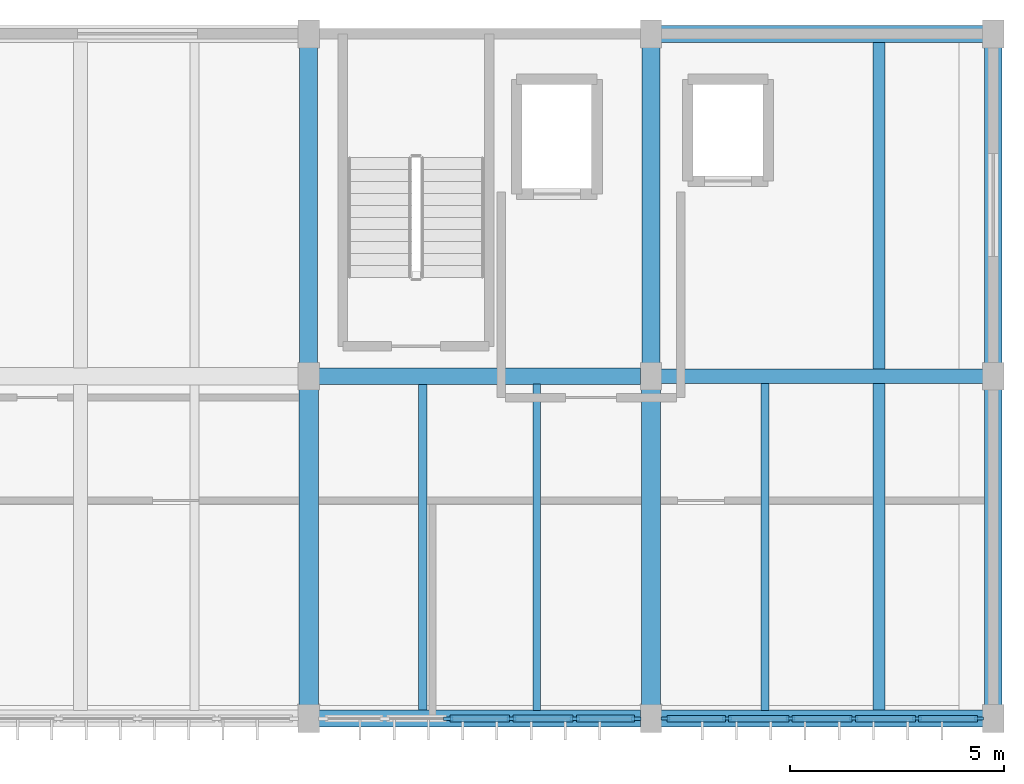
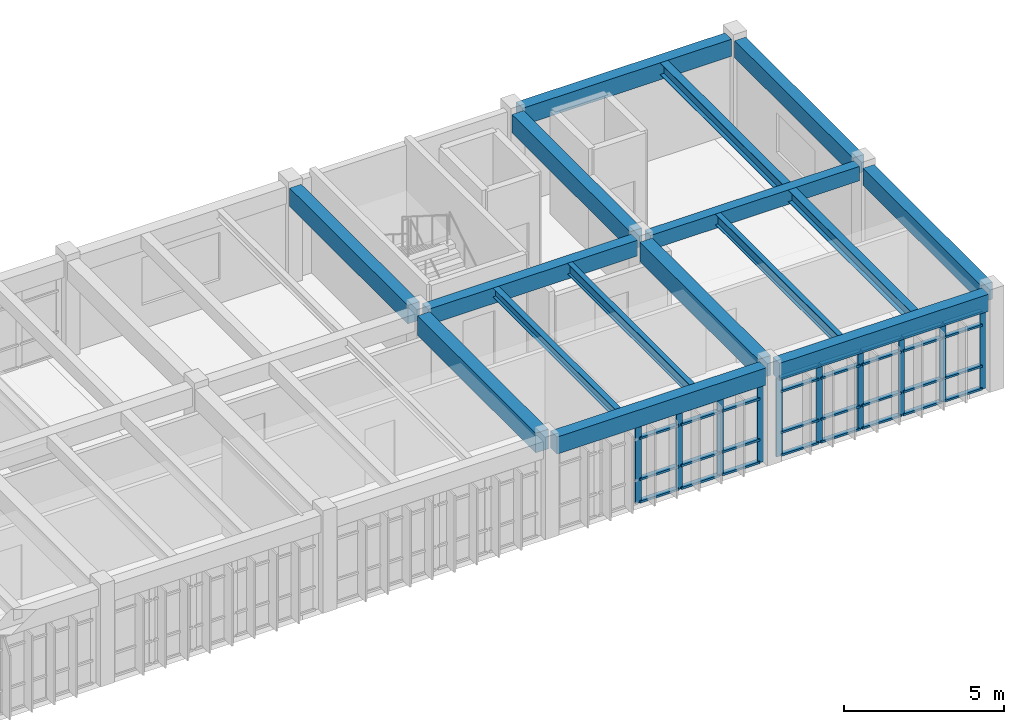
# One storey, part 7 of 15: 42 members, 16 beams, 2 elements without a shape of their own.
"""IFC4 building model written with IfcOpenShell, lengths in metres."""

from ifc_helpers import new_model, si_unit, direction, frame, origin, origin_2d, place, context, subcontext, project, spatial, rectangle, i_section, extrude, material, material_profile, profile_set, type_object, element, aggregate, save


model = new_model("IFC4")

# Units and contexts
model_context = context("Model", 3, precision=1e-05, world=origin(), true_north=direction((0.0, 1.0)))
body_context = subcontext(model_context, "Body", "Model", "MODEL_VIEW")
ifc_project = project(units=[si_unit("LENGTHUNIT", "METRE"), si_unit("AREAUNIT", "SQUARE_METRE"), si_unit("VOLUMEUNIT", "CUBIC_METRE"), si_unit("PLANEANGLEUNIT", "RADIAN"), si_unit("MASSUNIT", "GRAM", prefix="KILO")], contexts=[model_context])

# Site, building, storey
site_placement = place(None, origin())
site = spatial("IfcSite", under=ifc_project, at=site_placement, CompositionType="ELEMENT")
building_placement = place(site_placement, origin())
building = spatial("IfcBuilding", under=site, at=building_placement, Name="Tlaxcora Railside Police Headquarters", CompositionType="ELEMENT")
storey_placement = place(building_placement, frame((0.0, 0.0, 25.800048828125)))
storey = spatial("IfcBuildingStorey", under=building, at=storey_placement, Name="L06", CompositionType="ELEMENT", Elevation=25.800048828125)

# Curtain wall, members
ifc_material_1 = material(Name="Thermally broken low-E insulated glazing", Category="glass")
curtain_wall_type_1 = type_object("IfcCurtainWallType", Name="Unitised Curtain Wall Assembly CW-23", PredefinedType="NOTDEFINED", material=ifc_material_1)
curtain_wall_1_placement = place(storey_placement, origin())
curtain_wall_1 = element("IfcCurtainWall", 1, at=curtain_wall_1_placement, inside=storey, type_object=curtain_wall_type_1, Name="V5 L06 curtain wall 128", PredefinedType="NOTDEFINED")
ifc_material_2 = material(Name="Anodised aluminium framing", Category="aluminium")
ifc_material_profile_1 = material_profile(ifc_material_2, rectangle(XDim=0.080078125, YDim=0.219970703125, at=origin_2d()), Name="AL80X220")
ifc_profile_set_1 = profile_set([ifc_material_profile_1], Name="Anodised aluminium framing")
member_type_1 = type_object("IfcMemberType", Name="Curtain Wall Mullion CW-31", PredefinedType="MULLION", material=ifc_profile_set_1)
member_1_placement = place(storey_placement, frame((73.260009765625, 76.800048828125, 0.0), z_axis=(0.0, 0.0, 1.0), x_axis=(0.0, 1.0, 0.0)))
member_1 = element("IfcMember", 2, at=member_1_placement, type_object=member_type_1, Name="CW mullion 3", PredefinedType="MULLION", context=body_context, shape_type="SweptSolid", body=[
    extrude(rectangle(XDim=0.080078125, YDim=0.219970703125, at=origin_2d()), origin(), (0.0, 0.0, 1.0), 2.989990234375),
])
member_2_placement = place(storey_placement, frame((74.739990234375, 76.800048828125, 0.0), z_axis=(0.0, 0.0, 1.0), x_axis=(0.0, 1.0, 0.0)))
member_2 = element("IfcMember", 3, at=member_2_placement, type_object=member_type_1, Name="CW mullion 4", PredefinedType="MULLION", context=body_context, shape_type="SweptSolid", body=[
    extrude(rectangle(XDim=0.080078125, YDim=0.219970703125, at=origin_2d()), origin(), (0.0, 0.0, 1.0), 2.989990234375),
])
member_3_placement = place(storey_placement, frame((76.219970703125, 76.800048828125, 0.0), z_axis=(0.0, 0.0, 1.0), x_axis=(0.0, 1.0, 0.0)))
member_3 = element("IfcMember", 4, at=member_3_placement, type_object=member_type_1, Name="CW mullion 5", PredefinedType="MULLION", context=body_context, shape_type="SweptSolid", body=[
    extrude(rectangle(XDim=0.080078125, YDim=0.219970703125, at=origin_2d()), origin(), (0.0, 0.0, 1.0), 2.989990234375),
])
member_4_placement = place(storey_placement, frame((77.659912109375, 76.800048828125, 0.0), z_axis=(0.0, 0.0, 1.0), x_axis=(0.0, 1.0, 0.0)))
member_4 = element("IfcMember", 5, at=member_4_placement, type_object=member_type_1, Name="CW mullion 6", PredefinedType="MULLION", context=body_context, shape_type="SweptSolid", body=[
    extrude(rectangle(XDim=0.080078125, YDim=0.219970703125, at=origin_2d()), origin(), (0.0, 0.0, 1.0), 2.989990234375),
])

curtain_wall_type_2 = type_object("IfcCurtainWallType", Name="Unitised Curtain Wall Assembly CW-38", PredefinedType="NOTDEFINED", material=ifc_material_1)
curtain_wall_2_placement = place(storey_placement, origin())
curtain_wall_2 = element("IfcCurtainWall", 6, at=curtain_wall_2_placement, inside=storey, type_object=curtain_wall_type_2, Name="V5 L06 curtain wall 129", PredefinedType="NOTDEFINED")
ifc_material_profile_2 = material_profile(ifc_material_2, rectangle(XDim=0.074951171875, YDim=0.205078125, at=origin_2d()), Name="AL75X205")
ifc_profile_set_2 = profile_set([ifc_material_profile_2], Name="Anodised aluminium framing")
member_type_2 = type_object("IfcMemberType", Name="Curtain Wall Mullion CW-32", PredefinedType="MULLION", material=ifc_profile_set_2)
member_5_placement = place(storey_placement, frame((78.33740234375, 76.800048828125, 0.0), z_axis=(0.0, 0.0, 1.0), x_axis=(0.0, 1.0, 0.0)))
member_5 = element("IfcMember", 7, at=member_5_placement, type_object=member_type_2, Name="CW mullion 1", PredefinedType="MULLION", context=body_context, shape_type="SweptSolid", body=[
    extrude(rectangle(XDim=0.074951171875, YDim=0.205078125, at=origin_2d()), origin(), (0.0, 0.0, 1.0), 2.989990234375),
])
member_6_placement = place(storey_placement, frame((79.780029296875, 76.800048828125, 0.0), z_axis=(0.0, 0.0, 1.0), x_axis=(0.0, 1.0, 0.0)))
member_6 = element("IfcMember", 8, at=member_6_placement, type_object=member_type_2, Name="CW mullion 2", PredefinedType="MULLION", context=body_context, shape_type="SweptSolid", body=[
    extrude(rectangle(XDim=0.074951171875, YDim=0.205078125, at=origin_2d()), origin(), (0.0, 0.0, 1.0), 2.989990234375),
])
member_7_placement = place(storey_placement, frame((81.260009765625, 76.800048828125, 0.0), z_axis=(0.0, 0.0, 1.0), x_axis=(0.0, 1.0, 0.0)))
member_7 = element("IfcMember", 9, at=member_7_placement, type_object=member_type_2, Name="CW mullion 3", PredefinedType="MULLION", context=body_context, shape_type="SweptSolid", body=[
    extrude(rectangle(XDim=0.074951171875, YDim=0.205078125, at=origin_2d()), origin(), (0.0, 0.0, 1.0), 2.989990234375),
])
member_8_placement = place(storey_placement, frame((82.739990234375, 76.800048828125, 0.0), z_axis=(0.0, 0.0, 1.0), x_axis=(0.0, 1.0, 0.0)))
member_8 = element("IfcMember", 10, at=member_8_placement, type_object=member_type_2, Name="CW mullion 4", PredefinedType="MULLION", context=body_context, shape_type="SweptSolid", body=[
    extrude(rectangle(XDim=0.074951171875, YDim=0.205078125, at=origin_2d()), origin(), (0.0, 0.0, 1.0), 2.989990234375),
])
member_9_placement = place(storey_placement, frame((84.219970703125, 76.800048828125, 0.0), z_axis=(0.0, 0.0, 1.0), x_axis=(0.0, 1.0, 0.0)))
member_9 = element("IfcMember", 11, at=member_9_placement, type_object=member_type_2, Name="CW mullion 5", PredefinedType="MULLION", context=body_context, shape_type="SweptSolid", body=[
    extrude(rectangle(XDim=0.074951171875, YDim=0.205078125, at=origin_2d()), origin(), (0.0, 0.0, 1.0), 2.989990234375),
])
member_10_placement = place(storey_placement, frame((85.66259765625, 76.800048828125, 0.0), z_axis=(0.0, 0.0, 1.0), x_axis=(0.0, 1.0, 0.0)))
member_10 = element("IfcMember", 12, at=member_10_placement, type_object=member_type_2, Name="CW mullion 6", PredefinedType="MULLION", context=body_context, shape_type="SweptSolid", body=[
    extrude(rectangle(XDim=0.074951171875, YDim=0.205078125, at=origin_2d()), origin(), (0.0, 0.0, 1.0), 2.989990234375),
])
ifc_material_profile_3 = material_profile(ifc_material_2, rectangle(XDim=0.155029296875, YDim=0.074951171875, at=origin_2d()), Name="AL75X155")
ifc_profile_set_3 = profile_set([ifc_material_profile_3], Name="Anodised aluminium framing")
member_type_3 = type_object("IfcMemberType", Name="Curtain Wall Transom CW-30", PredefinedType="USERDEFINED", material=ifc_profile_set_3)
member_11_placement = place(storey_placement, frame((78.375, 76.800048828125, 0.037353515625), z_axis=(1.0, 0.0, 0.0), x_axis=(0.0, 1.0, 0.0)))
member_11 = element("IfcMember", 13, at=member_11_placement, type_object=member_type_3, Name="CW transom 1.1", ObjectType="TRANSOM", PredefinedType="USERDEFINED", context=body_context, shape_type="SweptSolid", body=[
    extrude(rectangle(XDim=0.155029296875, YDim=0.074951171875, at=origin_2d()), origin(), (0.0, 0.0, 1.0), 1.367431640625),
])
member_12_placement = place(storey_placement, frame((78.375, 76.800048828125, 0.89990234375), z_axis=(1.0, 0.0, 0.0), x_axis=(0.0, 1.0, 0.0)))
member_12 = element("IfcMember", 14, at=member_12_placement, type_object=member_type_3, Name="CW transom 1.2", ObjectType="TRANSOM", PredefinedType="USERDEFINED", context=body_context, shape_type="SweptSolid", body=[
    extrude(rectangle(XDim=0.155029296875, YDim=0.074951171875, at=origin_2d()), origin(), (0.0, 0.0, 1.0), 1.367431640625),
])
member_13_placement = place(storey_placement, frame((78.375, 76.800048828125, 2.4599609375), z_axis=(1.0, 0.0, 0.0), x_axis=(0.0, 1.0, 0.0)))
member_13 = element("IfcMember", 15, at=member_13_placement, type_object=member_type_3, Name="CW transom 1.3", ObjectType="TRANSOM", PredefinedType="USERDEFINED", context=body_context, shape_type="SweptSolid", body=[
    extrude(rectangle(XDim=0.155029296875, YDim=0.074951171875, at=origin_2d()), origin(), (0.0, 0.0, 1.0), 1.367431640625),
])
member_14_placement = place(storey_placement, frame((78.375, 76.800048828125, 2.952392578125), z_axis=(1.0, 0.0, 0.0), x_axis=(0.0, 1.0, 0.0)))
member_14 = element("IfcMember", 16, at=member_14_placement, type_object=member_type_3, Name="CW transom 1.4", ObjectType="TRANSOM", PredefinedType="USERDEFINED", context=body_context, shape_type="SweptSolid", body=[
    extrude(rectangle(XDim=0.155029296875, YDim=0.074951171875, at=origin_2d()), origin(), (0.0, 0.0, 1.0), 1.367431640625),
])
member_15_placement = place(storey_placement, frame((79.8173828125, 76.800048828125, 0.037353515625), z_axis=(1.0, 0.0, 0.0), x_axis=(0.0, 1.0, 0.0)))
member_15 = element("IfcMember", 17, at=member_15_placement, type_object=member_type_3, Name="CW transom 2.1", ObjectType="TRANSOM", PredefinedType="USERDEFINED", context=body_context, shape_type="SweptSolid", body=[
    extrude(rectangle(XDim=0.155029296875, YDim=0.074951171875, at=origin_2d()), origin(), (0.0, 0.0, 1.0), 1.405029296875),
])
member_16_placement = place(storey_placement, frame((79.8173828125, 76.800048828125, 0.89990234375), z_axis=(1.0, 0.0, 0.0), x_axis=(0.0, 1.0, 0.0)))
member_16 = element("IfcMember", 18, at=member_16_placement, type_object=member_type_3, Name="CW transom 2.2", ObjectType="TRANSOM", PredefinedType="USERDEFINED", context=body_context, shape_type="SweptSolid", body=[
    extrude(rectangle(XDim=0.155029296875, YDim=0.074951171875, at=origin_2d()), origin(), (0.0, 0.0, 1.0), 1.405029296875),
])
member_17_placement = place(storey_placement, frame((79.8173828125, 76.800048828125, 2.4599609375), z_axis=(1.0, 0.0, 0.0), x_axis=(0.0, 1.0, 0.0)))
member_17 = element("IfcMember", 19, at=member_17_placement, type_object=member_type_3, Name="CW transom 2.3", ObjectType="TRANSOM", PredefinedType="USERDEFINED", context=body_context, shape_type="SweptSolid", body=[
    extrude(rectangle(XDim=0.155029296875, YDim=0.074951171875, at=origin_2d()), origin(), (0.0, 0.0, 1.0), 1.405029296875),
])
member_18_placement = place(storey_placement, frame((79.8173828125, 76.800048828125, 2.952392578125), z_axis=(1.0, 0.0, 0.0), x_axis=(0.0, 1.0, 0.0)))
member_18 = element("IfcMember", 20, at=member_18_placement, type_object=member_type_3, Name="CW transom 2.4", ObjectType="TRANSOM", PredefinedType="USERDEFINED", context=body_context, shape_type="SweptSolid", body=[
    extrude(rectangle(XDim=0.155029296875, YDim=0.074951171875, at=origin_2d()), origin(), (0.0, 0.0, 1.0), 1.405029296875),
])
member_19_placement = place(storey_placement, frame((81.297607421875, 76.800048828125, 0.037353515625), z_axis=(1.0, 0.0, 0.0), x_axis=(0.0, 1.0, 0.0)))
member_19 = element("IfcMember", 21, at=member_19_placement, type_object=member_type_3, Name="CW transom 3.1", ObjectType="TRANSOM", PredefinedType="USERDEFINED", context=body_context, shape_type="SweptSolid", body=[
    extrude(rectangle(XDim=0.155029296875, YDim=0.074951171875, at=origin_2d()), origin(), (0.0, 0.0, 1.0), 1.40478515625),
])
member_20_placement = place(storey_placement, frame((81.297607421875, 76.800048828125, 0.89990234375), z_axis=(1.0, 0.0, 0.0), x_axis=(0.0, 1.0, 0.0)))
member_20 = element("IfcMember", 22, at=member_20_placement, type_object=member_type_3, Name="CW transom 3.2", ObjectType="TRANSOM", PredefinedType="USERDEFINED", context=body_context, shape_type="SweptSolid", body=[
    extrude(rectangle(XDim=0.155029296875, YDim=0.074951171875, at=origin_2d()), origin(), (0.0, 0.0, 1.0), 1.40478515625),
])
member_21_placement = place(storey_placement, frame((81.297607421875, 76.800048828125, 2.4599609375), z_axis=(1.0, 0.0, 0.0), x_axis=(0.0, 1.0, 0.0)))
member_21 = element("IfcMember", 23, at=member_21_placement, type_object=member_type_3, Name="CW transom 3.3", ObjectType="TRANSOM", PredefinedType="USERDEFINED", context=body_context, shape_type="SweptSolid", body=[
    extrude(rectangle(XDim=0.155029296875, YDim=0.074951171875, at=origin_2d()), origin(), (0.0, 0.0, 1.0), 1.40478515625),
])
member_22_placement = place(storey_placement, frame((81.297607421875, 76.800048828125, 2.952392578125), z_axis=(1.0, 0.0, 0.0), x_axis=(0.0, 1.0, 0.0)))
member_22 = element("IfcMember", 24, at=member_22_placement, type_object=member_type_3, Name="CW transom 3.4", ObjectType="TRANSOM", PredefinedType="USERDEFINED", context=body_context, shape_type="SweptSolid", body=[
    extrude(rectangle(XDim=0.155029296875, YDim=0.074951171875, at=origin_2d()), origin(), (0.0, 0.0, 1.0), 1.40478515625),
])
member_23_placement = place(storey_placement, frame((82.777587890625, 76.800048828125, 0.037353515625), z_axis=(1.0, 0.0, 0.0), x_axis=(0.0, 1.0, 0.0)))
member_23 = element("IfcMember", 25, at=member_23_placement, type_object=member_type_3, Name="CW transom 4.1", ObjectType="TRANSOM", PredefinedType="USERDEFINED", context=body_context, shape_type="SweptSolid", body=[
    extrude(rectangle(XDim=0.155029296875, YDim=0.074951171875, at=origin_2d()), origin(), (0.0, 0.0, 1.0), 1.405029296875),
])
member_24_placement = place(storey_placement, frame((82.777587890625, 76.800048828125, 0.89990234375), z_axis=(1.0, 0.0, 0.0), x_axis=(0.0, 1.0, 0.0)))
member_24 = element("IfcMember", 26, at=member_24_placement, type_object=member_type_3, Name="CW transom 4.2", ObjectType="TRANSOM", PredefinedType="USERDEFINED", context=body_context, shape_type="SweptSolid", body=[
    extrude(rectangle(XDim=0.155029296875, YDim=0.074951171875, at=origin_2d()), origin(), (0.0, 0.0, 1.0), 1.405029296875),
])
member_25_placement = place(storey_placement, frame((82.777587890625, 76.800048828125, 2.4599609375), z_axis=(1.0, 0.0, 0.0), x_axis=(0.0, 1.0, 0.0)))
member_25 = element("IfcMember", 27, at=member_25_placement, type_object=member_type_3, Name="CW transom 4.3", ObjectType="TRANSOM", PredefinedType="USERDEFINED", context=body_context, shape_type="SweptSolid", body=[
    extrude(rectangle(XDim=0.155029296875, YDim=0.074951171875, at=origin_2d()), origin(), (0.0, 0.0, 1.0), 1.405029296875),
])
member_26_placement = place(storey_placement, frame((82.777587890625, 76.800048828125, 2.952392578125), z_axis=(1.0, 0.0, 0.0), x_axis=(0.0, 1.0, 0.0)))
member_26 = element("IfcMember", 28, at=member_26_placement, type_object=member_type_3, Name="CW transom 4.4", ObjectType="TRANSOM", PredefinedType="USERDEFINED", context=body_context, shape_type="SweptSolid", body=[
    extrude(rectangle(XDim=0.155029296875, YDim=0.074951171875, at=origin_2d()), origin(), (0.0, 0.0, 1.0), 1.405029296875),
])
member_27_placement = place(storey_placement, frame((84.257568359375, 76.800048828125, 0.037353515625), z_axis=(1.0, 0.0, 0.0), x_axis=(0.0, 1.0, 0.0)))
member_27 = element("IfcMember", 29, at=member_27_placement, type_object=member_type_3, Name="CW transom 5.1", ObjectType="TRANSOM", PredefinedType="USERDEFINED", context=body_context, shape_type="SweptSolid", body=[
    extrude(rectangle(XDim=0.155029296875, YDim=0.074951171875, at=origin_2d()), origin(), (0.0, 0.0, 1.0), 1.367431640625),
])
member_28_placement = place(storey_placement, frame((84.257568359375, 76.800048828125, 0.89990234375), z_axis=(1.0, 0.0, 0.0), x_axis=(0.0, 1.0, 0.0)))
member_28 = element("IfcMember", 30, at=member_28_placement, type_object=member_type_3, Name="CW transom 5.2", ObjectType="TRANSOM", PredefinedType="USERDEFINED", context=body_context, shape_type="SweptSolid", body=[
    extrude(rectangle(XDim=0.155029296875, YDim=0.074951171875, at=origin_2d()), origin(), (0.0, 0.0, 1.0), 1.367431640625),
])
member_29_placement = place(storey_placement, frame((84.257568359375, 76.800048828125, 2.4599609375), z_axis=(1.0, 0.0, 0.0), x_axis=(0.0, 1.0, 0.0)))
member_29 = element("IfcMember", 31, at=member_29_placement, type_object=member_type_3, Name="CW transom 5.3", ObjectType="TRANSOM", PredefinedType="USERDEFINED", context=body_context, shape_type="SweptSolid", body=[
    extrude(rectangle(XDim=0.155029296875, YDim=0.074951171875, at=origin_2d()), origin(), (0.0, 0.0, 1.0), 1.367431640625),
])
member_30_placement = place(storey_placement, frame((84.257568359375, 76.800048828125, 2.952392578125), z_axis=(1.0, 0.0, 0.0), x_axis=(0.0, 1.0, 0.0)))
member_30 = element("IfcMember", 32, at=member_30_placement, type_object=member_type_3, Name="CW transom 5.4", ObjectType="TRANSOM", PredefinedType="USERDEFINED", context=body_context, shape_type="SweptSolid", body=[
    extrude(rectangle(XDim=0.155029296875, YDim=0.074951171875, at=origin_2d()), origin(), (0.0, 0.0, 1.0), 1.367431640625),
])
aggregate(curtain_wall_2, [member_5, member_6, member_7, member_8, member_9, member_10, member_11, member_12, member_13, member_14, member_15, member_16, member_17, member_18, member_19, member_20, member_21, member_22, member_23, member_24, member_25, member_26, member_27, member_28, member_29, member_30])

# Member
ifc_material_profile_4 = material_profile(ifc_material_2, rectangle(XDim=0.1650390625, YDim=0.080078125, at=origin_2d()), Name="AL80X165")
ifc_profile_set_4 = profile_set([ifc_material_profile_4], Name="Anodised aluminium framing")
member_type_4 = type_object("IfcMemberType", Name="Curtain Wall Transom CW-62", PredefinedType="USERDEFINED", material=ifc_profile_set_4)
member_31_placement = place(storey_placement, frame((73.300048828125, 76.800048828125, 0.0400390625), z_axis=(1.0, 0.0, 0.0), x_axis=(0.0, 1.0, 0.0)))
member_31 = element("IfcMember", 33, at=member_31_placement, type_object=member_type_4, Name="CW transom 3.1", ObjectType="TRANSOM", PredefinedType="USERDEFINED", context=body_context, shape_type="SweptSolid", body=[
    extrude(rectangle(XDim=0.1650390625, YDim=0.080078125, at=origin_2d()), origin(), (0.0, 0.0, 1.0), 1.39990234375),
])

member_32_placement = place(storey_placement, frame((73.300048828125, 76.800048828125, 0.89990234375), z_axis=(1.0, 0.0, 0.0), x_axis=(0.0, 1.0, 0.0)))
member_32 = element("IfcMember", 34, at=member_32_placement, type_object=member_type_4, Name="CW transom 3.2", ObjectType="TRANSOM", PredefinedType="USERDEFINED", context=body_context, shape_type="SweptSolid", body=[
    extrude(rectangle(XDim=0.1650390625, YDim=0.080078125, at=origin_2d()), origin(), (0.0, 0.0, 1.0), 1.39990234375),
])

member_33_placement = place(storey_placement, frame((73.300048828125, 76.800048828125, 2.4599609375), z_axis=(1.0, 0.0, 0.0), x_axis=(0.0, 1.0, 0.0)))
member_33 = element("IfcMember", 35, at=member_33_placement, type_object=member_type_4, Name="CW transom 3.3", ObjectType="TRANSOM", PredefinedType="USERDEFINED", context=body_context, shape_type="SweptSolid", body=[
    extrude(rectangle(XDim=0.1650390625, YDim=0.080078125, at=origin_2d()), origin(), (0.0, 0.0, 1.0), 1.39990234375),
])

member_34_placement = place(storey_placement, frame((73.300048828125, 76.800048828125, 2.949951171875), z_axis=(1.0, 0.0, 0.0), x_axis=(0.0, 1.0, 0.0)))
member_34 = element("IfcMember", 36, at=member_34_placement, type_object=member_type_4, Name="CW transom 3.4", ObjectType="TRANSOM", PredefinedType="USERDEFINED", context=body_context, shape_type="SweptSolid", body=[
    extrude(rectangle(XDim=0.1650390625, YDim=0.080078125, at=origin_2d()), origin(), (0.0, 0.0, 1.0), 1.39990234375),
])

member_35_placement = place(storey_placement, frame((74.780029296875, 76.800048828125, 0.0400390625), z_axis=(1.0, 0.0, 0.0), x_axis=(0.0, 1.0, 0.0)))
member_35 = element("IfcMember", 37, at=member_35_placement, type_object=member_type_4, Name="CW transom 4.1", ObjectType="TRANSOM", PredefinedType="USERDEFINED", context=body_context, shape_type="SweptSolid", body=[
    extrude(rectangle(XDim=0.1650390625, YDim=0.080078125, at=origin_2d()), origin(), (0.0, 0.0, 1.0), 1.39990234375),
])

member_36_placement = place(storey_placement, frame((74.780029296875, 76.800048828125, 0.89990234375), z_axis=(1.0, 0.0, 0.0), x_axis=(0.0, 1.0, 0.0)))
member_36 = element("IfcMember", 38, at=member_36_placement, type_object=member_type_4, Name="CW transom 4.2", ObjectType="TRANSOM", PredefinedType="USERDEFINED", context=body_context, shape_type="SweptSolid", body=[
    extrude(rectangle(XDim=0.1650390625, YDim=0.080078125, at=origin_2d()), origin(), (0.0, 0.0, 1.0), 1.39990234375),
])

member_37_placement = place(storey_placement, frame((74.780029296875, 76.800048828125, 2.4599609375), z_axis=(1.0, 0.0, 0.0), x_axis=(0.0, 1.0, 0.0)))
member_37 = element("IfcMember", 39, at=member_37_placement, type_object=member_type_4, Name="CW transom 4.3", ObjectType="TRANSOM", PredefinedType="USERDEFINED", context=body_context, shape_type="SweptSolid", body=[
    extrude(rectangle(XDim=0.1650390625, YDim=0.080078125, at=origin_2d()), origin(), (0.0, 0.0, 1.0), 1.39990234375),
])

member_38_placement = place(storey_placement, frame((74.780029296875, 76.800048828125, 2.949951171875), z_axis=(1.0, 0.0, 0.0), x_axis=(0.0, 1.0, 0.0)))
member_38 = element("IfcMember", 40, at=member_38_placement, type_object=member_type_4, Name="CW transom 4.4", ObjectType="TRANSOM", PredefinedType="USERDEFINED", context=body_context, shape_type="SweptSolid", body=[
    extrude(rectangle(XDim=0.1650390625, YDim=0.080078125, at=origin_2d()), origin(), (0.0, 0.0, 1.0), 1.39990234375),
])

member_39_placement = place(storey_placement, frame((76.260009765625, 76.800048828125, 0.0400390625), z_axis=(1.0, 0.0, 0.0), x_axis=(0.0, 1.0, 0.0)))
member_39 = element("IfcMember", 41, at=member_39_placement, type_object=member_type_4, Name="CW transom 5.1", ObjectType="TRANSOM", PredefinedType="USERDEFINED", context=body_context, shape_type="SweptSolid", body=[
    extrude(rectangle(XDim=0.1650390625, YDim=0.080078125, at=origin_2d()), origin(), (0.0, 0.0, 1.0), 1.360107421875),
])

member_40_placement = place(storey_placement, frame((76.260009765625, 76.800048828125, 0.89990234375), z_axis=(1.0, 0.0, 0.0), x_axis=(0.0, 1.0, 0.0)))
member_40 = element("IfcMember", 42, at=member_40_placement, type_object=member_type_4, Name="CW transom 5.2", ObjectType="TRANSOM", PredefinedType="USERDEFINED", context=body_context, shape_type="SweptSolid", body=[
    extrude(rectangle(XDim=0.1650390625, YDim=0.080078125, at=origin_2d()), origin(), (0.0, 0.0, 1.0), 1.360107421875),
])

member_41_placement = place(storey_placement, frame((76.260009765625, 76.800048828125, 2.4599609375), z_axis=(1.0, 0.0, 0.0), x_axis=(0.0, 1.0, 0.0)))
member_41 = element("IfcMember", 43, at=member_41_placement, type_object=member_type_4, Name="CW transom 5.3", ObjectType="TRANSOM", PredefinedType="USERDEFINED", context=body_context, shape_type="SweptSolid", body=[
    extrude(rectangle(XDim=0.1650390625, YDim=0.080078125, at=origin_2d()), origin(), (0.0, 0.0, 1.0), 1.360107421875),
])

member_42_placement = place(storey_placement, frame((76.260009765625, 76.800048828125, 2.949951171875), z_axis=(1.0, 0.0, 0.0), x_axis=(0.0, 1.0, 0.0)))
member_42 = element("IfcMember", 44, at=member_42_placement, type_object=member_type_4, Name="CW transom 5.4", ObjectType="TRANSOM", PredefinedType="USERDEFINED", context=body_context, shape_type="SweptSolid", body=[
    extrude(rectangle(XDim=0.1650390625, YDim=0.080078125, at=origin_2d()), origin(), (0.0, 0.0, 1.0), 1.360107421875),
])

aggregate(curtain_wall_1, [member_1, member_2, member_3, member_4, member_31, member_32, member_33, member_34, member_35, member_36, member_37, member_38, member_39, member_40, member_41, member_42])

# Beams
ifc_material_3 = material(Name="Concrete C40/50", Category="concrete")
ifc_material_profile_5 = material_profile(ifc_material_3, rectangle(XDim=0.39990234375, YDim=0.64990234375, at=origin_2d()), Name="RC400X650")
ifc_profile_set_5 = profile_set([ifc_material_profile_5], Name="Concrete C40/50")
beam_type_1 = type_object("IfcBeamType", Name="Perimeter Spandrel Beam BM-46", PredefinedType="SPANDREL", material=ifc_profile_set_5)
for number, where, z_axis, x_axis, name in (
    (45, (70.239990234375, 76.800048828125, 3.3349609375), (1.0, 0.0, 0.0), (0.0, 1.0, 0.0), "V5 L06 X-girder Y=76.8"),
    (46, (78.239990234375, 76.800048828125, 3.3349609375), (1.0, 0.0, 0.0), (0.0, 1.0, 0.0), "V5 L06 X-girder Y=76.8"),
    (47, (78.239990234375, 92.800048828125, 3.3349609375), (1.0, 0.0, 0.0), (0.0, 1.0, 0.0), "V5 L06 X-girder Y=92.8"),
):
    element("IfcBeam", number, at=place(storey_placement, frame(where, z_axis=z_axis, x_axis=x_axis)), inside=storey, type_object=beam_type_1, Name=name, PredefinedType="SPANDREL", context=body_context, shape_type="SweptSolid", body=[
        extrude(rectangle(XDim=0.39990234375, YDim=0.64990234375, at=origin_2d()), origin(), (0.0, 0.0, 1.0), 7.52001953125),
    ])
for number, where, z_axis, x_axis, name in (
    (48, (86.0, 77.114990234375, 3.3349609375), (0.0, 1.0, 0.0), (-1.0, 0.0, 0.0), "V5 L06 Y-girder X=86.0"),
    (49, (86.0, 85.114990234375, 3.3349609375), (0.0, 1.0, 0.0), (-1.0, 0.0, 0.0), "V5 L06 Y-girder X=86.0"),
):
    element("IfcBeam", number, at=place(storey_placement, frame(where, z_axis=z_axis, x_axis=x_axis)), inside=storey, type_object=beam_type_1, Name=name, PredefinedType="SPANDREL", context=body_context, shape_type="SweptSolid", body=[
        extrude(rectangle(XDim=0.39990234375, YDim=0.64990234375, at=origin_2d()), origin(), (0.0, 0.0, 1.0), 7.3701171875),
    ])
ifc_material_profile_6 = material_profile(ifc_material_3, rectangle(XDim=0.3798828125, YDim=0.60009765625, at=origin_2d()), Name="RC380X600")
ifc_profile_set_6 = profile_set([ifc_material_profile_6], Name="Concrete C40/50")
beam_type_2 = type_object("IfcBeamType", Name="Primary Frame Girder BM-22", PredefinedType="BEAM", material=ifc_profile_set_6)
beam_1_placement = place(storey_placement, frame((70.239990234375, 84.800048828125, 3.35986328125), z_axis=(1.0, 0.0, 0.0), x_axis=(0.0, 1.0, 0.0)))
element("IfcBeam", 50, at=beam_1_placement, inside=storey, type_object=beam_type_2, Name="V5 L06 X-girder Y=84.8", PredefinedType="BEAM", context=body_context, shape_type="SweptSolid", body=[
    extrude(rectangle(XDim=0.3798828125, YDim=0.60009765625, at=origin_2d()), origin(), (0.0, 0.0, 1.0), 7.52001953125),
])
ifc_material_profile_7 = material_profile(ifc_material_3, rectangle(XDim=0.419921875, YDim=0.699951171875, at=origin_2d()), Name="RC420X700")
ifc_profile_set_7 = profile_set([ifc_material_profile_7], Name="Concrete C40/50")
beam_type_3 = type_object("IfcBeamType", Name="Primary Frame Girder BM-35", PredefinedType="BEAM", material=ifc_profile_set_7)
for number, where, z_axis, x_axis, name in (
    (51, (70.0, 85.114990234375, 3.31005859375), (0.0, 1.0, 0.0), (-1.0, 0.0, 0.0), "V5 L06 Y-girder X=70.0"),
    (52, (78.0, 85.114990234375, 3.31005859375), (0.0, 1.0, 0.0), (-1.0, 0.0, 0.0), "V5 L06 Y-girder X=78.0"),
):
    element("IfcBeam", number, at=place(storey_placement, frame(where, z_axis=z_axis, x_axis=x_axis)), inside=storey, type_object=beam_type_3, Name=name, PredefinedType="BEAM", context=body_context, shape_type="SweptSolid", body=[
        extrude(rectangle(XDim=0.419921875, YDim=0.699951171875, at=origin_2d()), origin(), (0.0, 0.0, 1.0), 7.3701171875),
    ])
ifc_material_profile_8 = material_profile(ifc_material_3, rectangle(XDim=0.35009765625, YDim=0.550048828125, at=origin_2d()), Name="RC350X550")
ifc_profile_set_8 = profile_set([ifc_material_profile_8], Name="Concrete C40/50")
beam_type_4 = type_object("IfcBeamType", Name="Primary Frame Girder BM-39", PredefinedType="BEAM", material=ifc_profile_set_8)
beam_2_placement = place(storey_placement, frame((78.239990234375, 84.800048828125, 3.385009765625), z_axis=(1.0, 0.0, 0.0), x_axis=(0.0, 1.0, 0.0)))
element("IfcBeam", 53, at=beam_2_placement, inside=storey, type_object=beam_type_4, Name="V5 L06 X-girder Y=84.8", PredefinedType="BEAM", context=body_context, shape_type="SweptSolid", body=[
    extrude(rectangle(XDim=0.35009765625, YDim=0.550048828125, at=origin_2d()), origin(), (0.0, 0.0, 1.0), 7.52001953125),
])
ifc_material_profile_9 = material_profile(ifc_material_3, rectangle(XDim=0.449951171875, YDim=0.75, at=origin_2d()), Name="RC450X750")
ifc_profile_set_9 = profile_set([ifc_material_profile_9], Name="Concrete C40/50")
beam_type_5 = type_object("IfcBeamType", Name="Primary Frame Girder BM-73", PredefinedType="BEAM", material=ifc_profile_set_9)
for number, where, z_axis, x_axis, name in (
    (54, (70.0, 77.114990234375, 3.284912109375), (0.0, 1.0, 0.0), (-1.0, 0.0, 0.0), "V5 L06 Y-girder X=70.0"),
    (55, (78.0, 77.114990234375, 3.284912109375), (0.0, 1.0, 0.0), (-1.0, 0.0, 0.0), "V5 L06 Y-girder X=78.0"),
):
    element("IfcBeam", number, at=place(storey_placement, frame(where, z_axis=z_axis, x_axis=x_axis)), inside=storey, type_object=beam_type_5, Name=name, PredefinedType="BEAM", context=body_context, shape_type="SweptSolid", body=[
        extrude(rectangle(XDim=0.449951171875, YDim=0.75, at=origin_2d()), origin(), (0.0, 0.0, 1.0), 7.3701171875),
    ])
ifc_material_4 = material(Name="Steel ASTM A992 Grade 50", Category="steel")
ifc_material_profile_10 = material_profile(ifc_material_4, i_section(OverallWidth=0.280029296875, OverallDepth=0.4619140625, WebThickness=0.0107421875, FlangeThickness=0.017333984375, at=origin_2d()), Name="W18X76")
ifc_profile_set_10 = profile_set([ifc_material_profile_10], Name="Steel ASTM A992 Grade 50")
beam_type_6 = type_object("IfcBeamType", Name="Secondary Floor Joist BM-44", PredefinedType="JOIST", material=ifc_profile_set_10)
beam_3_placement = place(storey_placement, frame((83.333251953125, 76.991943359375, 3.428955078125), z_axis=(0.0, 1.0, 0.0), x_axis=(-1.0, 0.0, 0.0)))
element("IfcBeam", 56, at=beam_3_placement, inside=storey, type_object=beam_type_6, Name="V5 L06 floor joist X=83.33", PredefinedType="JOIST", context=body_context, shape_type="SweptSolid", body=[
    extrude(i_section(OverallWidth=0.280029296875, OverallDepth=0.4619140625, WebThickness=0.0107421875, FlangeThickness=0.017333984375, at=origin_2d()), origin(), (0.0, 0.0, 1.0), 7.64111328125),
])
beam_4_placement = place(storey_placement, frame((83.333251953125, 84.967041015625, 3.428955078125), z_axis=(0.0, 1.0, 0.0), x_axis=(-1.0, 0.0, 0.0)))
element("IfcBeam", 57, at=beam_4_placement, inside=storey, type_object=beam_type_6, Name="V5 L06 floor joist X=83.33", PredefinedType="JOIST", context=body_context, shape_type="SweptSolid", body=[
    extrude(i_section(OverallWidth=0.280029296875, OverallDepth=0.4619140625, WebThickness=0.0107421875, FlangeThickness=0.017333984375, at=origin_2d()), origin(), (0.0, 0.0, 1.0), 7.640869140625),
])
ifc_material_profile_11 = material_profile(ifc_material_4, i_section(OverallWidth=0.2041015625, OverallDepth=0.35009765625, WebThickness=0.008544921875, FlangeThickness=0.01513671875, at=origin_2d()), Name="W14X48")
ifc_profile_set_11 = profile_set([ifc_material_profile_11], Name="Steel ASTM A992 Grade 50")
beam_type_7 = type_object("IfcBeamType", Name="Secondary Floor Joist BM-65", PredefinedType="JOIST", material=ifc_profile_set_11)
beam_5_placement = place(storey_placement, frame((72.666748046875, 76.991943359375, 3.48486328125), z_axis=(0.0, 1.0, 0.0), x_axis=(-1.0, 0.0, 0.0)))
element("IfcBeam", 58, at=beam_5_placement, inside=storey, type_object=beam_type_7, Name="V5 L06 floor joist X=72.67", PredefinedType="JOIST", context=body_context, shape_type="SweptSolid", body=[
    extrude(i_section(OverallWidth=0.2041015625, OverallDepth=0.35009765625, WebThickness=0.008544921875, FlangeThickness=0.01513671875, at=origin_2d()), origin(), (0.0, 0.0, 1.0), 7.6259765625),
])
ifc_material_profile_12 = material_profile(ifc_material_4, i_section(OverallWidth=0.180908203125, OverallDepth=0.4169921875, WebThickness=0.010009765625, FlangeThickness=0.018310546875, at=origin_2d()), Name="W16X57")
ifc_profile_set_12 = profile_set([ifc_material_profile_12], Name="Steel ASTM A992 Grade 50")
beam_type_8 = type_object("IfcBeamType", Name="Secondary Floor Joist BM-84", PredefinedType="JOIST", material=ifc_profile_set_12)
beam_6_placement = place(storey_placement, frame((75.333251953125, 76.991943359375, 3.451416015625), z_axis=(0.0, 1.0, 0.0), x_axis=(-1.0, 0.0, 0.0)))
element("IfcBeam", 59, at=beam_6_placement, inside=storey, type_object=beam_type_8, Name="V5 L06 floor joist X=75.33", PredefinedType="JOIST", context=body_context, shape_type="SweptSolid", body=[
    extrude(i_section(OverallWidth=0.180908203125, OverallDepth=0.4169921875, WebThickness=0.010009765625, FlangeThickness=0.018310546875, at=origin_2d()), origin(), (0.0, 0.0, 1.0), 7.6259765625),
])
beam_7_placement = place(storey_placement, frame((80.666748046875, 76.991943359375, 3.451416015625), z_axis=(0.0, 1.0, 0.0), x_axis=(-1.0, 0.0, 0.0)))
element("IfcBeam", 60, at=beam_7_placement, inside=storey, type_object=beam_type_8, Name="V5 L06 floor joist X=80.67", PredefinedType="JOIST", context=body_context, shape_type="SweptSolid", body=[
    extrude(i_section(OverallWidth=0.180908203125, OverallDepth=0.4169921875, WebThickness=0.010009765625, FlangeThickness=0.018310546875, at=origin_2d()), origin(), (0.0, 0.0, 1.0), 7.64111328125),
])

save(model, "model.ifc")
